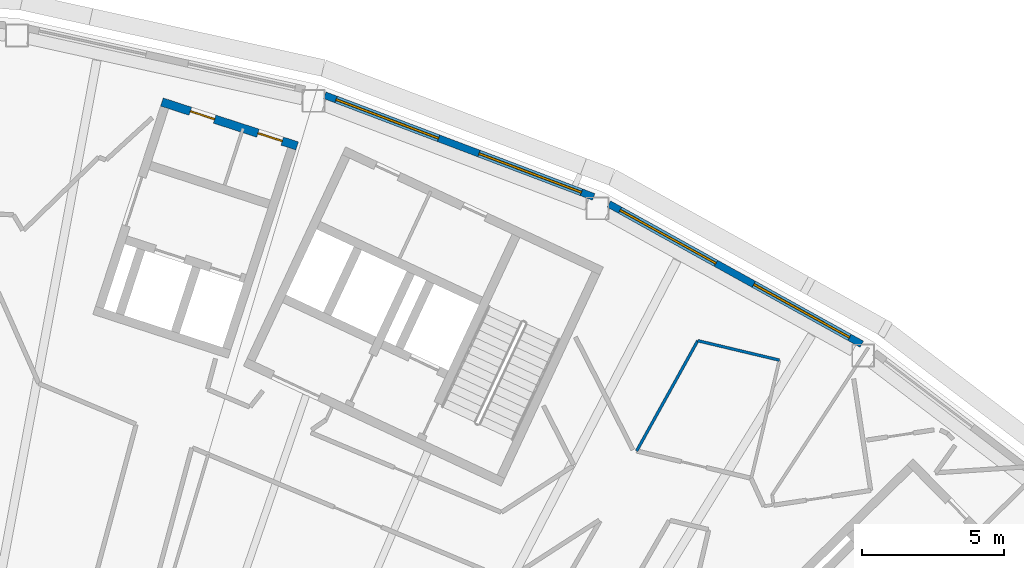
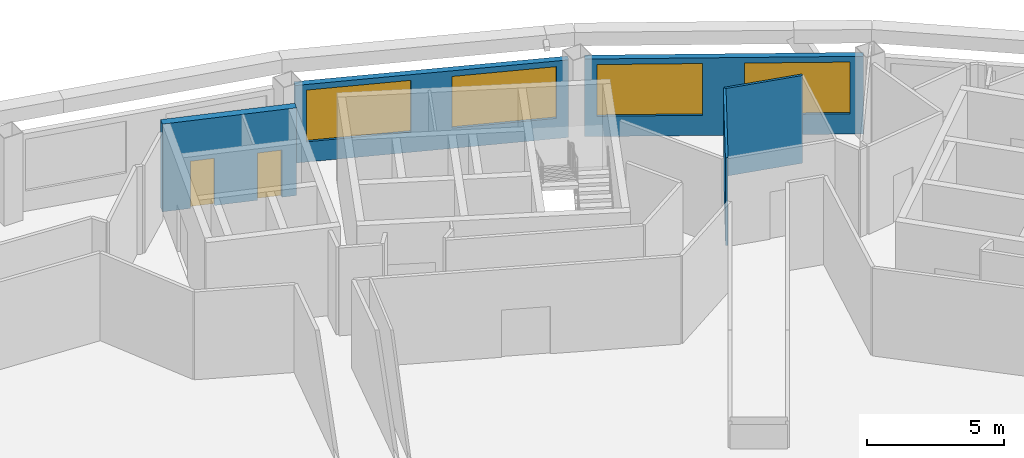
# One storey, part 10 of 16: 5 walls, 4 windows, 2 doors, 6 openings.
"""IFC4 building model written with IfcOpenShell, lengths in metres."""

from ifc_helpers import new_model, si_unit, direction, frame, frame_2d, origin, place, context, subcontext, project, spatial, rectangle, extrude, material, layer, layer_set, type_object, element, fill, save


model = new_model("IFC4")

# Units and contexts
model_context = context("Model", 3, precision=1e-05, world=origin(), true_north=direction((0.0, 1.0)))
body_context = subcontext(model_context, "Body", "Model", "MODEL_VIEW")
ifc_project = project(units=[si_unit("LENGTHUNIT", "METRE"), si_unit("AREAUNIT", "SQUARE_METRE"), si_unit("VOLUMEUNIT", "CUBIC_METRE"), si_unit("PLANEANGLEUNIT", "RADIAN"), si_unit("MASSUNIT", "GRAM", prefix="KILO")], contexts=[model_context])

# Site, building, storey
site_placement = place(None, origin())
site = spatial("IfcSite", under=ifc_project, at=site_placement, CompositionType="ELEMENT")
building_placement = place(site_placement, origin())
building = spatial("IfcBuilding", under=site, at=building_placement, Name="Tuul Gate Civic Tower", CompositionType="ELEMENT")
storey_placement = place(building_placement, frame((0.0, 0.0, 298.39990234375)))
storey = spatial("IfcBuildingStorey", under=building, at=storey_placement, Name="Level 67", CompositionType="ELEMENT", Elevation=298.39990234375)

# Wall, openings, windows
ifc_material_1 = material(Name="Precast concrete C40/50", Category="concrete")
ifc_layer_1 = layer(ifc_material_1, 0.25)
ifc_layer_set_1 = layer_set([ifc_layer_1], Name="Precast concrete C40/50")
wall_type_1 = type_object("IfcWallType", Name="External wall", PredefinedType="STANDARD", material=ifc_layer_set_1)
wall_1_placement = place(storey_placement, frame((47.139404296875, -2.39111328125, 0.0), z_axis=(0.0, 0.0, 1.0), x_axis=(-0.874604551877, 0.484836960055, 0.0)))
wall_1 = element("IfcWall", 1, at=wall_1_placement, inside=storey, type_object=wall_type_1, Name="External wall", PredefinedType="STANDARD", context=body_context, shape_type="SweptSolid", body=[
    extrude(rectangle(XDim=10.16162109375, YDim=0.25, at=frame_2d((5.080810546875, 0.0))), origin(), (0.0, 0.0, 1.0), 3.4501953125),
])
opening_1_placement = place(wall_1_placement, frame((0.489501953125, 0.0, 0.89990234375)))
opening_1 = element("IfcOpeningElement", 2, at=opening_1_placement, cuts=wall_1, Name="Opening W22", PredefinedType="OPENING", context=body_context, shape_type="SweptSolid", body=[
    extrude(rectangle(XDim=3.85009765625, YDim=2.300048828125, at=frame_2d((1.925048828125, 1.14990234375))), frame((0.0, 0.135009765625, 0.0), z_axis=(0.0, -1.0, 0.0), x_axis=(1.0, 0.0, 0.0)), (0.0, 0.0, 1.0), 0.27001953125),
])
opening_2_placement = place(wall_1_placement, frame((5.860595703125, 0.0, 0.89990234375)))
opening_2 = element("IfcOpeningElement", 3, at=opening_2_placement, cuts=wall_1, Name="Opening W22", PredefinedType="OPENING", context=body_context, shape_type="SweptSolid", body=[
    extrude(rectangle(XDim=3.85009765625, YDim=2.300048828125, at=frame_2d((1.925048828125, 1.14990234375))), frame((0.0, 0.135009765625, 0.0), z_axis=(0.0, -1.0, 0.0), x_axis=(1.0, 0.0, 0.0)), (0.0, 0.0, 1.0), 0.27001953125),
])
ifc_material_2 = material(Name="Glass", Category="glass")
window_type = type_object("IfcWindowType", Name="Window W22 3850 x 2300", PartitioningType="SINGLE_PANEL", PredefinedType="WINDOW", material=ifc_material_2)
window_1_placement = place(opening_1_placement, origin())
window_1 = element("IfcWindow", 4, at=window_1_placement, inside=storey, type_object=window_type, Name="Window", OverallHeight=2.300048828125, OverallWidth=3.85009765625, PartitioningType="SINGLE_PANEL", PredefinedType="WINDOW", context=body_context, shape_type="SweptSolid", body=[
    extrude(rectangle(XDim=3.85009765625, YDim=2.300048828125, at=frame_2d((1.925048828125, 1.14990234375))), frame((0.0, 0.030029296875, 0.0), z_axis=(0.0, -1.0, 0.0), x_axis=(1.0, 0.0, 0.0)), (0.0, 0.0, 1.0), 0.06005859375),
])
fill(opening_1, window_1)
window_2_placement = place(opening_2_placement, origin())
window_2 = element("IfcWindow", 5, at=window_2_placement, inside=storey, type_object=window_type, Name="Window", OverallHeight=2.300048828125, OverallWidth=3.85009765625, PartitioningType="SINGLE_PANEL", PredefinedType="WINDOW", context=body_context, shape_type="SweptSolid", body=[
    extrude(rectangle(XDim=3.85009765625, YDim=2.300048828125, at=frame_2d((1.925048828125, 1.14990234375))), frame((0.0, 0.030029296875, 0.0), z_axis=(0.0, -1.0, 0.0), x_axis=(1.0, 0.0, 0.0)), (0.0, 0.0, 1.0), 0.06005859375),
])
fill(opening_2, window_2)

wall_2_placement = place(storey_placement, frame((37.715087890625, 2.784912109375, 0.0), z_axis=(0.0, 0.0, 1.0), x_axis=(-0.935360382643, 0.353696133118, 0.0)))
wall_2 = element("IfcWall", 6, at=wall_2_placement, inside=storey, type_object=wall_type_1, Name="External wall", PredefinedType="STANDARD", context=body_context, shape_type="SweptSolid", body=[
    extrude(rectangle(XDim=10.103271484375, YDim=0.25, at=frame_2d((5.0517578125, 0.0))), origin(), (0.0, 0.0, 1.0), 3.4501953125),
])
opening_3_placement = place(wall_2_placement, frame((0.45849609375, 0.0, 0.89990234375)))
opening_3 = element("IfcOpeningElement", 7, at=opening_3_placement, cuts=wall_2, Name="Opening W22", PredefinedType="OPENING", context=body_context, shape_type="SweptSolid", body=[
    extrude(rectangle(XDim=3.85009765625, YDim=2.300048828125, at=frame_2d((1.925048828125, 1.14990234375))), frame((0.0, 0.135009765625, 0.0), z_axis=(0.0, -1.0, 0.0), x_axis=(1.0, 0.0, 0.0)), (0.0, 0.0, 1.0), 0.27001953125),
])
opening_4_placement = place(wall_2_placement, frame((5.830322265625, 0.0, 0.89990234375)))
opening_4 = element("IfcOpeningElement", 8, at=opening_4_placement, cuts=wall_2, Name="Opening W22", PredefinedType="OPENING", context=body_context, shape_type="SweptSolid", body=[
    extrude(rectangle(XDim=3.85009765625, YDim=2.300048828125, at=frame_2d((1.925048828125, 1.14990234375))), frame((0.0, 0.135009765625, 0.0), z_axis=(0.0, -1.0, 0.0), x_axis=(1.0, 0.0, 0.0)), (0.0, 0.0, 1.0), 0.27001953125),
])
window_3_placement = place(opening_3_placement, origin())
window_3 = element("IfcWindow", 9, at=window_3_placement, inside=storey, type_object=window_type, Name="Window", OverallHeight=2.300048828125, OverallWidth=3.85009765625, PartitioningType="SINGLE_PANEL", PredefinedType="WINDOW", context=body_context, shape_type="SweptSolid", body=[
    extrude(rectangle(XDim=3.85009765625, YDim=2.300048828125, at=frame_2d((1.925048828125, 1.14990234375))), frame((0.0, 0.030029296875, 0.0), z_axis=(0.0, -1.0, 0.0), x_axis=(1.0, 0.0, 0.0)), (0.0, 0.0, 1.0), 0.06005859375),
])
fill(opening_3, window_3)
window_4_placement = place(opening_4_placement, origin())
window_4 = element("IfcWindow", 10, at=window_4_placement, inside=storey, type_object=window_type, Name="Window", OverallHeight=2.300048828125, OverallWidth=3.85009765625, PartitioningType="SINGLE_PANEL", PredefinedType="WINDOW", context=body_context, shape_type="SweptSolid", body=[
    extrude(rectangle(XDim=3.85009765625, YDim=2.300048828125, at=frame_2d((1.925048828125, 1.14990234375))), frame((0.0, 0.030029296875, 0.0), z_axis=(0.0, -1.0, 0.0), x_axis=(1.0, 0.0, 0.0)), (0.0, 0.0, 1.0), 0.06005859375),
])
fill(opening_4, window_4)

# Wall, openings, doors
ifc_material_3 = material(Name="Concrete C40/50", Category="concrete")
ifc_layer_2 = layer(ifc_material_3, 0.300048828125)
ifc_layer_set_2 = layer_set([ifc_layer_2], Name="Concrete C40/50")
wall_type_2 = type_object("IfcWallType", Name="Lift shaft wall C40/50", PredefinedType="STANDARD", material=ifc_layer_set_2)
wall_3_placement = place(storey_placement, frame((27.29150390625, 4.57666015625, 0.0), z_axis=(0.0, 0.0, 1.0), x_axis=(-0.951067792613, 0.308982287281, 0.0)))
wall_3 = element("IfcWall", 11, at=wall_3_placement, inside=storey, type_object=wall_type_2, Name="Shaft wall", PredefinedType="STANDARD", context=body_context, shape_type="SweptSolid", body=[
    extrude(rectangle(XDim=5.0, YDim=0.300048828125, at=frame_2d((2.5, 0.0))), origin(), (0.0, 0.0, 1.0), 3.900146484375),
])
opening_5_placement = place(wall_3_placement, frame((0.550048828125, 0.0, 0.0)))
opening_5 = element("IfcOpeningElement", 12, at=opening_5_placement, cuts=wall_3, Name="Opening Y-D21", PredefinedType="OPENING", context=body_context, shape_type="SweptSolid", body=[
    extrude(rectangle(XDim=0.89990234375, YDim=2.10009765625, at=frame_2d((0.449951171875, 1.050048828125))), frame((0.0, 0.16015625, 0.0), z_axis=(0.0, -1.0, 0.0), x_axis=(1.0, 0.0, 0.0)), (0.0, 0.0, 1.0), 0.320068359375),
])
opening_6_placement = place(wall_3_placement, frame((3.050048828125, 0.0, 0.0)))
opening_6 = element("IfcOpeningElement", 13, at=opening_6_placement, cuts=wall_3, Name="Opening Y-D22", PredefinedType="OPENING", context=body_context, shape_type="SweptSolid", body=[
    extrude(rectangle(XDim=0.89990234375, YDim=2.10009765625, at=frame_2d((0.449951171875, 1.050048828125))), frame((0.0, 0.16015625, 0.0), z_axis=(0.0, -1.0, 0.0), x_axis=(1.0, 0.0, 0.0)), (0.0, 0.0, 1.0), 0.320068359375),
])
ifc_material_4 = material(Name="Timber door leaf", Category="wood")
door_type = type_object("IfcDoorType", Name="Door D09", OperationType="NOTDEFINED", PredefinedType="DOOR", material=ifc_material_4)
door_1_placement = place(opening_5_placement, origin())
door_1 = element("IfcDoor", 14, at=door_1_placement, inside=storey, type_object=door_type, Name="Door Y-D21", OperationType="SINGLE_SWING_LEFT", OverallHeight=2.10009765625, OverallWidth=0.89990234375, PredefinedType="DOOR", context=body_context, shape_type="SweptSolid", body=[
    extrude(rectangle(XDim=0.89990234375, YDim=2.10009765625, at=frame_2d((0.449951171875, 1.050048828125))), frame((0.0, 0.02490234375, 0.0), z_axis=(0.0, -1.0, 0.0), x_axis=(1.0, 0.0, 0.0)), (0.0, 0.0, 1.0), 0.050048828125),
])
fill(opening_5, door_1)
door_2_placement = place(opening_6_placement, origin())
door_2 = element("IfcDoor", 15, at=door_2_placement, inside=storey, type_object=door_type, Name="Door Y-D22", OperationType="SINGLE_SWING_RIGHT", OverallHeight=2.10009765625, OverallWidth=0.89990234375, PredefinedType="DOOR", context=body_context, shape_type="SweptSolid", body=[
    extrude(rectangle(XDim=0.89990234375, YDim=2.10009765625, at=frame_2d((0.449951171875, 1.050048828125))), frame((0.0, 0.02490234375, 0.0), z_axis=(0.0, -1.0, 0.0), x_axis=(1.0, 0.0, 0.0)), (0.0, 0.0, 1.0), 0.050048828125),
])
fill(opening_6, door_2)

# Walls
ifc_material_5 = material(Name="Gypsum board partition")
ifc_layer_3 = layer(ifc_material_5, 0.10009765625)
ifc_layer_set_3 = layer_set([ifc_layer_3], Name="Gypsum board partition")
wall_type_3 = type_object("IfcWallType", Name="Partition P100", PredefinedType="PARTITIONING", material=ifc_layer_set_3)
wall_4_placement = place(storey_placement, frame((39.226806640625, -6.146240234375, 0.0), z_axis=(0.0, 0.0, 1.0), x_axis=(0.484819530944, 0.874614213476, 0.0)))
element("IfcWall", 16, at=wall_4_placement, inside=storey, type_object=wall_type_3, Name="p014", PredefinedType="PARTITIONING", context=body_context, shape_type="SweptSolid", body=[
    extrude(rectangle(XDim=4.431884765625, YDim=0.10009765625, at=frame_2d((2.2158203125, 0.0))), origin(), (0.0, 0.0, 1.0), 3.900146484375),
])
wall_5_placement = place(storey_placement, frame((41.37548828125, -2.27001953125, 0.0), z_axis=(0.0, 0.0, 1.0), x_axis=(0.972745825444, -0.231874015539, 0.0)))
element("IfcWall", 17, at=wall_5_placement, inside=storey, type_object=wall_type_3, Name="p015", PredefinedType="PARTITIONING", context=body_context, shape_type="SweptSolid", body=[
    extrude(rectangle(XDim=2.951171875, YDim=0.10009765625, at=frame_2d((1.4755859375, 0.0))), origin(), (0.0, 0.0, 1.0), 3.900146484375),
])

save(model, "model.ifc")
